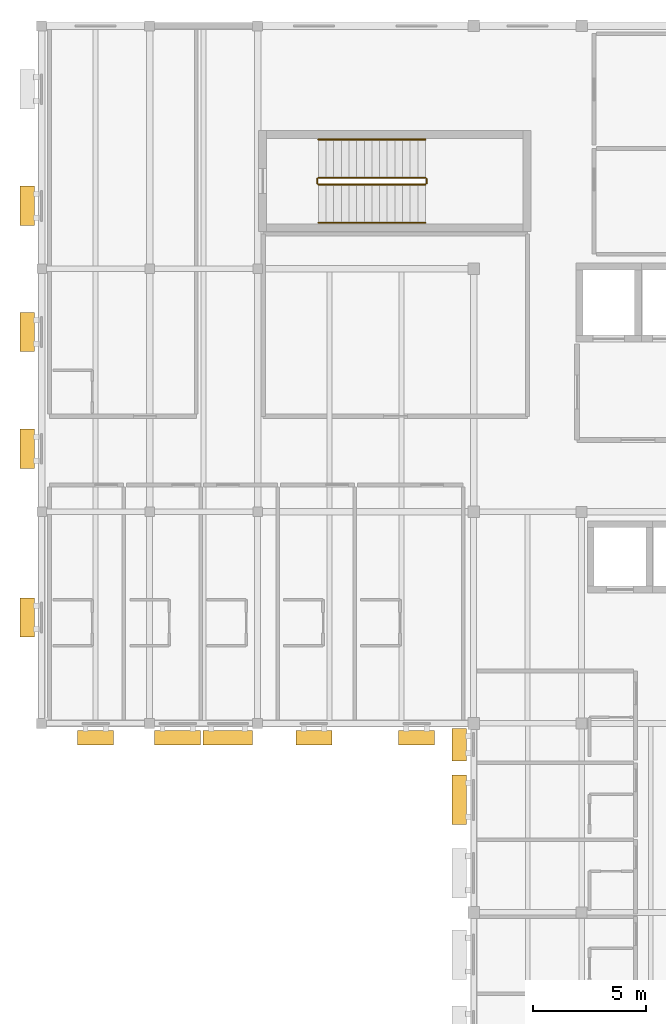
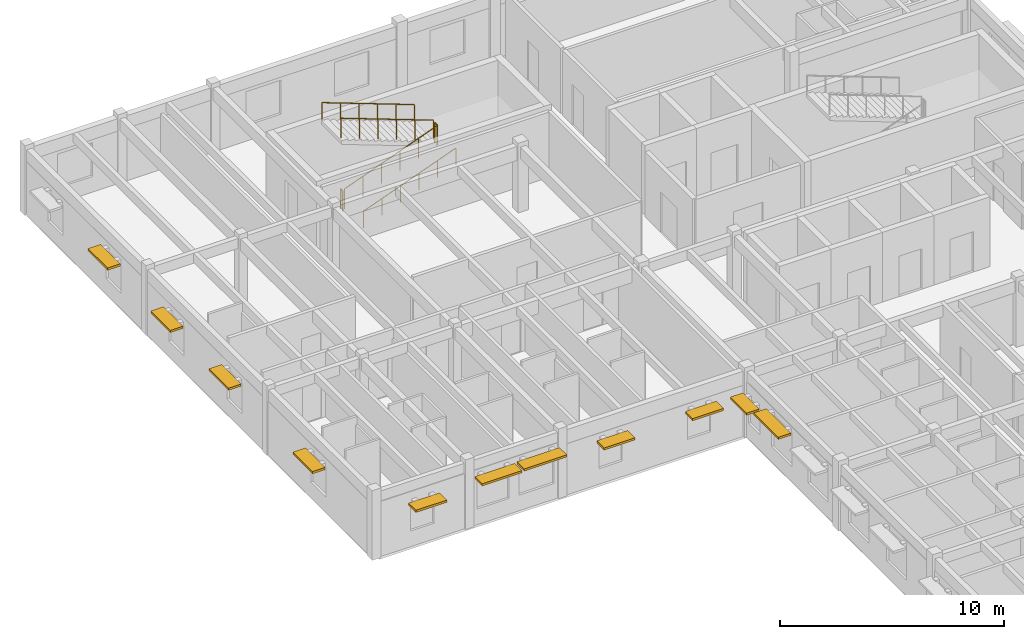
# One storey, part 20 of 22: 11 shading devices, 6 railings.
"""IFC4 building model written with IfcOpenShell, lengths in metres."""

from ifc_helpers import new_model, si_unit, direction, frame, origin, origin_2d, place, context, subcontext, project, spatial, rectangle, circle, extrude, material, type_object, element, save


model = new_model("IFC4")

# Units and contexts
model_context = context("Model", 3, precision=1e-05, world=origin(), true_north=direction((0.0, 1.0)))
body_context = subcontext(model_context, "Body", "Model", "MODEL_VIEW")
ifc_project = project(units=[si_unit("LENGTHUNIT", "METRE"), si_unit("AREAUNIT", "SQUARE_METRE"), si_unit("VOLUMEUNIT", "CUBIC_METRE"), si_unit("PLANEANGLEUNIT", "RADIAN"), si_unit("MASSUNIT", "GRAM", prefix="KILO")], contexts=[model_context])

# Site, building, storey
site_placement = place(None, origin())
site = spatial("IfcSite", under=ifc_project, at=site_placement, CompositionType="ELEMENT")
building_placement = place(site_placement, origin())
building = spatial("IfcBuilding", under=site, at=building_placement, Name="Veldera Park Congress Hotel", CompositionType="ELEMENT")
storey_placement = place(building_placement, frame((0.0, 0.0, 23.800048828125)))
storey = spatial("IfcBuildingStorey", under=building, at=storey_placement, Name="L05", CompositionType="ELEMENT", Elevation=23.800048828125)

# Railings
ifc_material_1 = material(Name="Steel ASTM A992 Gr.50", Category="steel")
railing_type_1 = type_object("IfcRailingType", Name="GRD-ST110", PredefinedType="GUARDRAIL", material=ifc_material_1)
railing_1_placement = place(storey_placement, frame((53.89990234375, 50.949951171875, 0.126708984375)))
element("IfcRailing", 1, at=railing_1_placement, inside=storey, type_object=railing_type_1, Name="L05 ST3 stair guard 1", PredefinedType="GUARDRAIL", context=body_context, shape_type="SweptSolid", body=[
    extrude(circle(Radius=0.02392578125, at=origin_2d()), frame((0.0, 0.0, 1.076171875), z_axis=(0.937091363699, 0.0, 0.349084196263), x_axis=(0.0, 1.0, 0.0)), (0.0, 0.0, 1.0), 5.07958984375),
    extrude(circle(Radius=0.02099609375, at=origin_2d()), origin(), (0.0, 0.0, 1.0), 1.052001953125),
    extrude(circle(Radius=0.02099609375, at=origin_2d()), frame((0.951904296875, 0.0, 0.354736328125)), (0.0, 0.0, 1.0), 1.052001953125),
    extrude(circle(Radius=0.02099609375, at=origin_2d()), frame((1.904052734375, 0.0, 0.709228515625)), (0.0, 0.0, 1.0), 1.052001953125),
    extrude(circle(Radius=0.02099609375, at=origin_2d()), frame((2.85595703125, 0.0, 1.06396484375)), (0.0, 0.0, 1.0), 1.052001953125),
    extrude(circle(Radius=0.02099609375, at=origin_2d()), frame((3.80810546875, 0.0, 1.41845703125)), (0.0, 0.0, 1.0), 1.052001953125),
    extrude(circle(Radius=0.02099609375, at=origin_2d()), frame((4.760009765625, 0.0, 1.773193359375)), (0.0, 0.0, 1.0), 1.052001953125),
])
railing_2_placement = place(storey_placement, frame((58.7099609375, 51.0, 1.89990234375)))
element("IfcRailing", 2, at=railing_2_placement, inside=storey, type_object=railing_type_1, Name="L05 ST3 stair guard 2", PredefinedType="GUARDRAIL", context=body_context, shape_type="SweptSolid", body=[
    extrude(circle(Radius=0.02392578125, at=origin_2d()), frame((0.0, 0.0, 1.076171875), z_axis=(0.0, 1.0, 0.0), x_axis=(-1.0, 0.0, 0.0)), (0.0, 0.0, 1.0), 0.199951171875),
    extrude(circle(Radius=0.02099609375, at=origin_2d()), origin(), (0.0, 0.0, 1.0), 1.052001953125),
    extrude(circle(Radius=0.02099609375, at=origin_2d()), frame((0.0, 0.199951171875, 0.0)), (0.0, 0.0, 1.0), 1.052001953125),
])
railing_3_placement = place(storey_placement, frame((58.659912109375, 51.25, 2.026611328125)))
element("IfcRailing", 3, at=railing_3_placement, inside=storey, type_object=railing_type_1, Name="L05 ST3 stair guard 3", PredefinedType="GUARDRAIL", context=body_context, shape_type="SweptSolid", body=[
    extrude(circle(Radius=0.02392578125, at=origin_2d()), frame((0.0, 0.0, 1.076171875), z_axis=(-0.937075640343, 0.0, 0.349126401572), x_axis=(0.0, -1.0, 0.0)), (0.0, 0.0, 1.0), 5.07958984375),
    extrude(circle(Radius=0.02099609375, at=origin_2d()), origin(), (0.0, 0.0, 1.0), 1.052001953125),
    extrude(circle(Radius=0.02099609375, at=origin_2d()), frame((-0.951904296875, 0.0, 0.354736328125)), (0.0, 0.0, 1.0), 1.052001953125),
    extrude(circle(Radius=0.02099609375, at=origin_2d()), frame((-1.904052734375, 0.0, 0.70947265625)), (0.0, 0.0, 1.0), 1.052001953125),
    extrude(circle(Radius=0.02099609375, at=origin_2d()), frame((-2.85595703125, 0.0, 1.06396484375)), (0.0, 0.0, 1.0), 1.052001953125),
    extrude(circle(Radius=0.02099609375, at=origin_2d()), frame((-3.80810546875, 0.0, 1.418701171875)), (0.0, 0.0, 1.0), 1.052001953125),
    extrude(circle(Radius=0.02099609375, at=origin_2d()), frame((-4.760009765625, 0.0, 1.7734375)), (0.0, 0.0, 1.0), 1.052001953125),
])
railing_4_placement = place(storey_placement, frame((53.85009765625, 51.0, 0.0)))
element("IfcRailing", 4, at=railing_4_placement, inside=storey, type_object=railing_type_1, Name="L05 ST3 stair guard 4", PredefinedType="GUARDRAIL", context=body_context, shape_type="SweptSolid", body=[
    extrude(circle(Radius=0.02392578125, at=origin_2d()), frame((0.0, 0.0, 1.076171875), z_axis=(0.0, 1.0, 0.0), x_axis=(-1.0, 0.0, 0.0)), (0.0, 0.0, 1.0), 0.199951171875),
    extrude(circle(Radius=0.02099609375, at=origin_2d()), origin(), (0.0, 0.0, 1.0), 1.052001953125),
    extrude(circle(Radius=0.02099609375, at=origin_2d()), frame((0.0, 0.199951171875, 0.0)), (0.0, 0.0, 1.0), 1.052001953125),
])
railing_type_2 = type_object("IfcRailingType", Name="HRL-920", PredefinedType="HANDRAIL", material=ifc_material_1)
railing_5_placement = place(storey_placement, frame((53.89990234375, 49.25, 0.126708984375)))
element("IfcRailing", 5, at=railing_5_placement, inside=storey, type_object=railing_type_2, Name="L05 ST3 stair handrail 1", PredefinedType="HANDRAIL", context=body_context, shape_type="SweptSolid", body=[
    extrude(circle(Radius=0.02392578125, at=origin_2d()), frame((0.0, 0.0, 0.89599609375), z_axis=(0.937091363699, 0.0, 0.349084196263), x_axis=(0.0, 1.0, 0.0)), (0.0, 0.0, 1.0), 5.07958984375),
    extrude(circle(Radius=0.02099609375, at=origin_2d()), origin(), (0.0, 0.0, 1.0), 0.871826171875),
    extrude(circle(Radius=0.02099609375, at=origin_2d()), frame((0.951904296875, 0.0, 0.354736328125)), (0.0, 0.0, 1.0), 0.871826171875),
    extrude(circle(Radius=0.02099609375, at=origin_2d()), frame((1.904052734375, 0.0, 0.709228515625)), (0.0, 0.0, 1.0), 0.871826171875),
    extrude(circle(Radius=0.02099609375, at=origin_2d()), frame((2.85595703125, 0.0, 1.06396484375)), (0.0, 0.0, 1.0), 0.871826171875),
    extrude(circle(Radius=0.02099609375, at=origin_2d()), frame((3.80810546875, 0.0, 1.41845703125)), (0.0, 0.0, 1.0), 0.871826171875),
    extrude(circle(Radius=0.02099609375, at=origin_2d()), frame((4.760009765625, 0.0, 1.773193359375)), (0.0, 0.0, 1.0), 0.871826171875),
])
railing_6_placement = place(storey_placement, frame((58.659912109375, 52.949951171875, 2.026611328125)))
element("IfcRailing", 6, at=railing_6_placement, inside=storey, type_object=railing_type_2, Name="L05 ST3 stair handrail 2", PredefinedType="HANDRAIL", context=body_context, shape_type="SweptSolid", body=[
    extrude(circle(Radius=0.02392578125, at=origin_2d()), frame((0.0, 0.0, 0.89599609375), z_axis=(-0.937075640343, 0.0, 0.349126401572), x_axis=(0.0, -1.0, 0.0)), (0.0, 0.0, 1.0), 5.07958984375),
    extrude(circle(Radius=0.02099609375, at=origin_2d()), origin(), (0.0, 0.0, 1.0), 0.871826171875),
    extrude(circle(Radius=0.02099609375, at=origin_2d()), frame((-0.951904296875, 0.0, 0.354736328125)), (0.0, 0.0, 1.0), 0.871826171875),
    extrude(circle(Radius=0.02099609375, at=origin_2d()), frame((-1.904052734375, 0.0, 0.70947265625)), (0.0, 0.0, 1.0), 0.871826171875),
    extrude(circle(Radius=0.02099609375, at=origin_2d()), frame((-2.85595703125, 0.0, 1.06396484375)), (0.0, 0.0, 1.0), 0.871826171875),
    extrude(circle(Radius=0.02099609375, at=origin_2d()), frame((-3.80810546875, 0.0, 1.418701171875)), (0.0, 0.0, 1.0), 0.871826171875),
    extrude(circle(Radius=0.02099609375, at=origin_2d()), frame((-4.760009765625, 0.0, 1.7734375)), (0.0, 0.0, 1.0), 0.871826171875),
])

# Shading devices
ifc_material_2 = material(Name="Glulam GL28h (NDS 24F-V4)", Category="wood")
shading_device_type = type_object("IfcShadingDeviceType", Name="SHD-LVR300", PredefinedType="JALOUSIE", material=ifc_material_2)
for number, where, z_axis, x_axis, name in (
    (7, (40.965087890625, 50.000244140625, 2.519775390625), (0.0, 0.0, 1.0), (0.0, -1.0, 0.0), "Glulam Solar Shade 163"),
    (8, (40.965087890625, 44.39599609375, 2.519775390625), (0.0, 0.0, 1.0), (0.0, -1.0, 0.0), "Glulam Solar Shade 164"),
    (9, (40.965087890625, 39.2041015625, 2.519775390625), (0.0, 0.0, 1.0), (0.0, -1.0, 0.0), "Glulam Solar Shade 165"),
    (10, (40.965087890625, 31.70751953125, 2.519775390625), (0.0, 0.0, 1.0), (0.0, -1.0, 0.0), "Glulam Solar Shade 166"),
):
    element("IfcShadingDevice", number, at=place(storey_placement, frame(where, z_axis=z_axis, x_axis=x_axis)), inside=storey, type_object=shading_device_type, Name=name, PredefinedType="JALOUSIE", context=body_context, shape_type="SweptSolid", body=[
        extrude(rectangle(XDim=1.75, YDim=0.64990234375, at=origin_2d()), origin(), (0.0, 0.0, 1.0), 0.1201171875),
    ])
for number, where, z_axis, x_axis, name in (
    (11, (44.0, 26.364990234375, 2.419921875), (0.0, 0.0, 1.0), (1.0, 0.0, 0.0), "Glulam Solar Shade 167"),
    (12, (53.70263671875, 26.364990234375, 2.419921875), (0.0, 0.0, 1.0), (1.0, 0.0, 0.0), "Glulam Solar Shade 168"),
    (13, (58.26220703125, 26.364990234375, 2.419921875), (0.0, 0.0, 1.0), (1.0, 0.0, 0.0), "Glulam Solar Shade 169"),
):
    element("IfcShadingDevice", number, at=place(storey_placement, frame(where, z_axis=z_axis, x_axis=x_axis)), inside=storey, type_object=shading_device_type, Name=name, PredefinedType="JALOUSIE", context=body_context, shape_type="SweptSolid", body=[
        extrude(rectangle(XDim=1.60009765625, YDim=0.64990234375, at=origin_2d()), origin(), (0.0, 0.0, 1.0), 0.1201171875),
    ])
shading_device_1_placement = place(storey_placement, frame((60.1650390625, 23.60009765625, 2.719970703125), z_axis=(0.0, 0.0, 1.0), x_axis=(0.0, -1.0, 0.0)))
element("IfcShadingDevice", 14, at=shading_device_1_placement, inside=storey, type_object=shading_device_type, Name="Glulam Solar Shade 409", PredefinedType="JALOUSIE", context=body_context, shape_type="SweptSolid", body=[
    extrude(rectangle(XDim=2.199951171875, YDim=0.64990234375, at=origin_2d()), origin(), (0.0, 0.0, 1.0), 0.1201171875),
])
shading_device_2_placement = place(storey_placement, frame((60.1650390625, 26.055908203125, 2.31982421875), z_axis=(0.0, 0.0, 1.0), x_axis=(0.0, -1.0, 0.0)))
element("IfcShadingDevice", 15, at=shading_device_2_placement, inside=storey, type_object=shading_device_type, Name="Glulam Solar Shade 410", PredefinedType="JALOUSIE", context=body_context, shape_type="SweptSolid", body=[
    extrude(rectangle(XDim=1.449951171875, YDim=0.64990234375, at=origin_2d()), origin(), (0.0, 0.0, 1.0), 0.1201171875),
])
shading_device_3_placement = place(storey_placement, frame((47.646484375, 26.364990234375, 2.669921875), z_axis=(0.0, 0.0, 1.0), x_axis=(1.0, 0.0, 0.0)))
element("IfcShadingDevice", 16, at=shading_device_3_placement, inside=storey, type_object=shading_device_type, Name="Glulam Solar Shade 424", PredefinedType="JALOUSIE", context=body_context, shape_type="SweptSolid", body=[
    extrude(rectangle(XDim=2.050048828125, YDim=0.64990234375, at=origin_2d()), origin(), (0.0, 0.0, 1.0), 0.1201171875),
])
shading_device_4_placement = place(storey_placement, frame((49.883544921875, 26.364990234375, 2.719970703125), z_axis=(0.0, 0.0, 1.0), x_axis=(1.0, 0.0, 0.0)))
element("IfcShadingDevice", 17, at=shading_device_4_placement, inside=storey, type_object=shading_device_type, Name="Glulam Solar Shade 425", PredefinedType="JALOUSIE", context=body_context, shape_type="SweptSolid", body=[
    extrude(rectangle(XDim=2.199951171875, YDim=0.64990234375, at=origin_2d()), origin(), (0.0, 0.0, 1.0), 0.1201171875),
])

save(model, "model.ifc")
